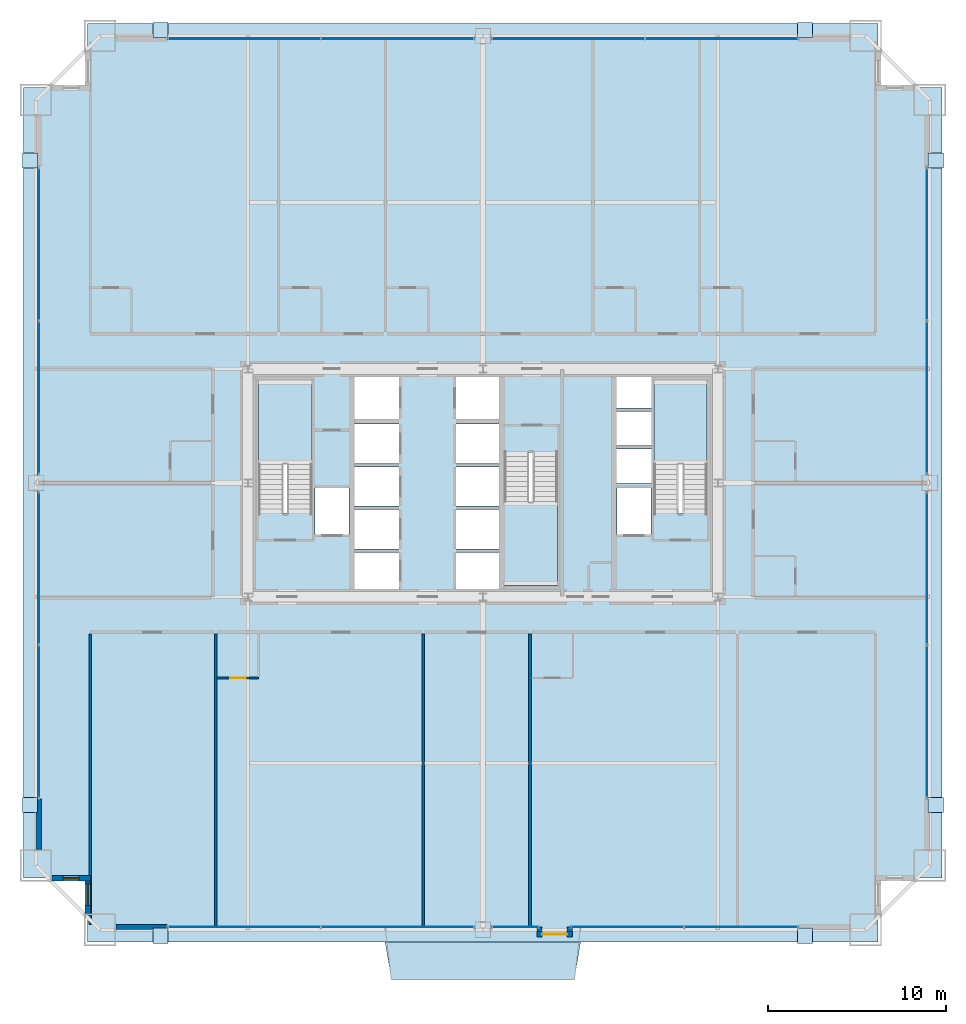
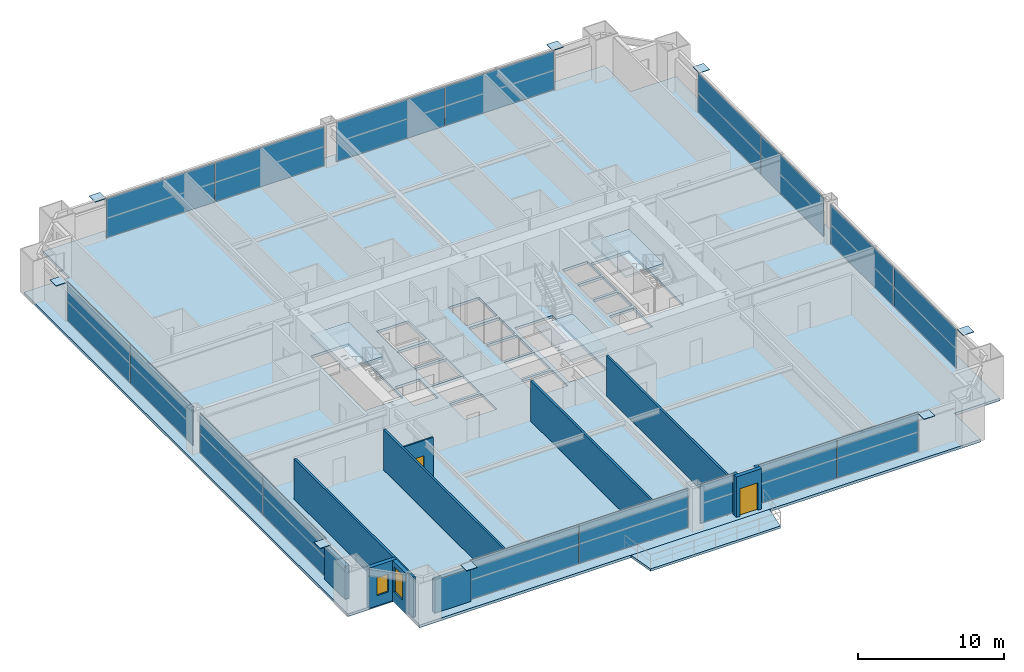
# One storey, part 38 of 43: 25 plates, 12 walls, 5 slabs, 2 doors, 2 windows, 4 openings, 12 elements without a shape of their own.
"""IFC4 building model written with IfcOpenShell, lengths in metres."""

from ifc_helpers import new_model, si_unit, direction, frame, frame_2d, origin, origin_2d, place, context, subcontext, project, spatial, polyline, rectangle, outline, extrude, source, transform, mapped, material, layer, layer_set, type_object, element, fill, aggregate, save


model = new_model("IFC4")

# Units and contexts
model_context = context("Model", 3, precision=1e-05, world=origin(), true_north=direction((0.0, 1.0)))
body_context = subcontext(model_context, "Body", "Model", "MODEL_VIEW")
ifc_project = project(units=[si_unit("LENGTHUNIT", "METRE"), si_unit("AREAUNIT", "SQUARE_METRE"), si_unit("VOLUMEUNIT", "CUBIC_METRE"), si_unit("PLANEANGLEUNIT", "RADIAN"), si_unit("MASSUNIT", "GRAM", prefix="KILO"), si_unit("THERMODYNAMICTEMPERATUREUNIT", "KELVIN"), si_unit("POWERUNIT", "WATT")], contexts=[model_context])

# Site, building, storey
site_placement = place(None, origin())
site = spatial("IfcSite", under=ifc_project, at=site_placement, CompositionType="ELEMENT")
building_placement = place(site_placement, origin())
building = spatial("IfcBuilding", under=site, at=building_placement, Name="Yuzanri Waterfront Tower", CompositionType="ELEMENT")
storey_placement = place(building_placement, frame((0.0, 0.0, 78.39990234375)))
storey = spatial("IfcBuildingStorey", under=building, at=storey_placement, Name="L20", CompositionType="ELEMENT", Elevation=78.39990234375)

# Slab
ifc_material_1 = material(Name="Concrete C40", Category="concrete")
ifc_layer_1 = layer(ifc_material_1, 0.199951171875)
ifc_layer_set_1 = layer_set([ifc_layer_1], Name="Concrete C40")
slab_type_1 = type_object("IfcSlabType", Name="Concrete C40 Cantilevered Engawa Wave Terrace Slab 200", PredefinedType="FLOOR", material=ifc_layer_set_1)
slab_1_placement = place(storey_placement, frame((0.0, 0.0, -0.199951171875)))
element("IfcSlab", 1, at=slab_1_placement, inside=storey, type_object=slab_type_1, Name="L20 S Cantilevered Engawa Terrace Slab", PredefinedType="FLOOR", context=body_context, shape_type="SweptSolid", body=[
    extrude(outline(polyline([(31.512939453125, 0.0), (42.487060546875, 0.0), (42.136962890625, -2.097900390625), (31.863037109375, -2.097900390625), (31.512939453125, 0.0)])), origin(), (0.0, 0.0, 1.0), 0.199951171875),
])

# Stair, slab
ifc_material_2 = material(Name="Concrete C40", Category="concrete")
stair_type = type_object("IfcStairType", Name="Concrete C40 Core Dogleg Exit Stair", PredefinedType="HALF_TURN_STAIR", material=ifc_material_2)
stair_1_placement = place(storey_placement, origin())
stair_1 = element("IfcStair", 2, at=stair_1_placement, inside=storey, type_object=stair_type, Name="L20 Smoke-Proof Core Stair ST-01", PredefinedType="HALF_TURN_STAIR")
ifc_material_3 = material(Name="Concrete C40", Category="concrete")
ifc_layer_2 = layer(ifc_material_3, 0.179931640625)
ifc_layer_set_2 = layer_set([ifc_layer_2], Name="Concrete C40")
slab_type_2 = type_object("IfcSlabType", Name="Concrete C40 Stair Half-Landing Slab 180", PredefinedType="LANDING", material=ifc_layer_set_2)
slab_2_placement = place(storey_placement, frame((0.0, 0.0, 1.60009765625)))
slab_2 = element("IfcSlab", 3, at=slab_2_placement, type_object=slab_type_2, Name="ST-01 landing 1", PredefinedType="LANDING", context=body_context, shape_type="SweptSolid", body=[
    extrude(outline(polyline([(27.39990234375, 26.840087890625), (27.39990234375, 31.580078125), (24.39990234375, 31.580078125), (24.39990234375, 26.840087890625), (27.39990234375, 26.840087890625)])), origin(), (0.0, 0.0, 1.0), 0.199951171875),
])
aggregate(stair_1, [slab_2])

stair_2_placement = place(storey_placement, origin())
stair_2 = element("IfcStair", 4, at=stair_2_placement, inside=storey, type_object=stair_type, Name="L20 Smoke-Proof Core Stair ST-02", PredefinedType="HALF_TURN_STAIR")
slab_3_placement = place(storey_placement, frame((0.0, 0.0, 1.60009765625)))
slab_3 = element("IfcSlab", 5, at=slab_3_placement, type_object=slab_type_2, Name="ST-02 landing 1", PredefinedType="LANDING", context=body_context, shape_type="SweptSolid", body=[
    extrude(outline(polyline([(49.60009765625, 26.840087890625), (49.60009765625, 31.580078125), (46.60009765625, 31.580078125), (46.60009765625, 26.840087890625), (49.60009765625, 26.840087890625)])), origin(), (0.0, 0.0, 1.0), 0.199951171875),
])
aggregate(stair_2, [slab_3])

stair_3_placement = place(storey_placement, origin())
stair_3 = element("IfcStair", 6, at=stair_3_placement, inside=storey, type_object=stair_type, Name="L20 Smoke-Proof Core Stair ST-03", PredefinedType="HALF_TURN_STAIR")
slab_4_placement = place(storey_placement, frame((0.0, 0.0, 1.60009765625)))
slab_4 = element("IfcSlab", 7, at=slab_4_placement, type_object=slab_type_2, Name="ST-03 landing 1", PredefinedType="LANDING", context=body_context, shape_type="SweptSolid", body=[
    extrude(outline(polyline([(38.199951171875, 24.760009765625), (38.199951171875, 20.02001953125), (41.199951171875, 20.02001953125), (41.199951171875, 24.760009765625), (38.199951171875, 24.760009765625)])), origin(), (0.0, 0.0, 1.0), 0.199951171875),
])
aggregate(stair_3, [slab_4])

# Slab
ifc_material_4 = material(Name="Concrete C40", Category="concrete")
ifc_layer_3 = layer(ifc_material_4, 0.219970703125)
ifc_layer_set_3 = layer_set([ifc_layer_3], Name="Concrete C40")
slab_type_3 = type_object("IfcSlabType", Name="Concrete C40 Tower Typical Structural Floor Slab 220", PredefinedType="FLOOR", material=ifc_layer_set_3)
slab_5_placement = place(storey_placement, frame((0.0, 0.0, -0.219970703125)))
element("IfcSlab", 8, at=slab_5_placement, inside=storey, type_object=slab_type_3, Name="L20 Main Structural Floor Slab", PredefinedType="FLOOR", context=body_context, shape_type="SweptSolid", body=[
    extrude(outline(polyline([(14.800048828125, 0.0), (59.199951171875, 0.0), (59.199951171875, 3.60009765625), (62.800048828125, 3.60009765625), (62.800048828125, 48.0), (59.199951171875, 48.0), (59.199951171875, 51.60009765625), (14.800048828125, 51.60009765625), (14.800048828125, 48.0), (11.199951171875, 48.0), (11.199951171875, 3.60009765625), (14.800048828125, 3.60009765625), (14.800048828125, 0.0)]), holes=[polyline([(27.39990234375, 24.10009765625), (27.39990234375, 31.580078125), (24.39990234375, 31.580078125), (24.39990234375, 24.10009765625), (27.39990234375, 24.10009765625)]), polyline([(49.60009765625, 24.10009765625), (49.60009765625, 31.580078125), (46.60009765625, 31.580078125), (46.60009765625, 24.10009765625), (49.60009765625, 24.10009765625)]), polyline([(38.199951171875, 27.5), (38.199951171875, 20.02001953125), (41.199951171875, 20.02001953125), (41.199951171875, 27.5), (38.199951171875, 27.5)]), polyline([(27.56005859375, 22.89990234375), (29.47998046875, 22.89990234375), (29.47998046875, 25.5), (27.56005859375, 25.5), (27.56005859375, 22.89990234375)]), polyline([(44.52001953125, 22.89990234375), (46.43994140625, 22.89990234375), (46.43994140625, 25.5), (44.52001953125, 25.5), (44.52001953125, 22.89990234375)]), polyline([(29.800048828125, 19.699951171875), (32.300048828125, 19.699951171875), (32.300048828125, 21.89990234375), (29.800048828125, 21.89990234375), (29.800048828125, 19.699951171875)]), polyline([(29.800048828125, 22.10009765625), (32.300048828125, 22.10009765625), (32.300048828125, 24.300048828125), (29.800048828125, 24.300048828125), (29.800048828125, 22.10009765625)]), polyline([(29.800048828125, 24.5), (32.300048828125, 24.5), (32.300048828125, 26.699951171875), (29.800048828125, 26.699951171875), (29.800048828125, 24.5)]), polyline([(29.800048828125, 26.89990234375), (32.300048828125, 26.89990234375), (32.300048828125, 29.10009765625), (29.800048828125, 29.10009765625), (29.800048828125, 26.89990234375)]), polyline([(29.800048828125, 29.39990234375), (32.300048828125, 29.39990234375), (32.300048828125, 31.89990234375), (29.800048828125, 31.89990234375), (29.800048828125, 29.39990234375)]), polyline([(35.5, 19.699951171875), (37.89990234375, 19.699951171875), (37.89990234375, 21.89990234375), (35.5, 21.89990234375), (35.5, 19.699951171875)]), polyline([(35.5, 22.10009765625), (37.89990234375, 22.10009765625), (37.89990234375, 24.300048828125), (35.5, 24.300048828125), (35.5, 22.10009765625)]), polyline([(35.5, 24.5), (37.89990234375, 24.5), (37.89990234375, 26.699951171875), (35.5, 26.699951171875), (35.5, 24.5)]), polyline([(35.5, 26.89990234375), (37.89990234375, 26.89990234375), (37.89990234375, 29.10009765625), (35.5, 29.10009765625), (35.5, 26.89990234375)]), polyline([(35.5, 29.39990234375), (37.89990234375, 29.39990234375), (37.89990234375, 31.89990234375), (35.5, 31.89990234375), (35.5, 29.39990234375)]), polyline([(44.5, 25.800048828125), (46.5, 25.800048828125), (46.5, 27.699951171875), (44.5, 27.699951171875), (44.5, 25.800048828125)]), polyline([(44.5, 27.89990234375), (46.5, 27.89990234375), (46.5, 29.800048828125), (44.5, 29.800048828125), (44.5, 27.89990234375)]), polyline([(44.5, 30.0), (46.5, 30.0), (46.5, 31.89990234375), (44.5, 31.89990234375), (44.5, 30.0)])]), origin(), (0.0, 0.0, 1.0), 0.219970703125),
])

# Plates
ifc_material_5 = material(Name="Steel Q420GJC", Category="steel")
ifc_layer_4 = layer(ifc_material_5, 0.0400390625)
ifc_layer_set_4 = layer_set([ifc_layer_4], Name="Steel Q420GJC")
plate_type_1 = type_object("IfcPlateType", Name="Steel Q420GJC Mega-Brace Gusset and End-Cap Plate 40", PredefinedType="SHEET", material=ifc_layer_set_4)
shared_shape_1 = source(origin(), body_context, "Body", "SweptSolid", [
    extrude(rectangle(XDim=0.85009765625, YDim=0.85009765625, at=origin_2d()), origin(), (0.0, 0.0, 1.0), 0.0400390625),
])
for number, where, z_axis, x_axis, name in (
    (9, (18.89990234375, 0.360107421875, 3.260009765625), (0.0, 0.0, 1.0), (1.0, 0.0, 0.0), "L20 Mega-Brace Apex Cap Plate S-L"),
    (10, (55.10009765625, 0.360107421875, 3.260009765625), (0.0, 0.0, 1.0), (1.0, 0.0, 0.0), "L20 Mega-Brace Apex Cap Plate S-R"),
    (11, (18.89990234375, 51.239990234375, 3.260009765625), (0.0, 0.0, 1.0), (1.0, 0.0, 0.0), "L20 Mega-Brace Apex Cap Plate N-L"),
    (12, (55.10009765625, 51.239990234375, 3.260009765625), (0.0, 0.0, 1.0), (1.0, 0.0, 0.0), "L20 Mega-Brace Apex Cap Plate N-R"),
    (13, (11.56005859375, 7.699951171875, 3.260009765625), (0.0, 0.0, 1.0), (1.0, 0.0, 0.0), "L20 Mega-Brace Apex Cap Plate W-L"),
    (14, (11.56005859375, 43.89990234375, 3.260009765625), (0.0, 0.0, 1.0), (1.0, 0.0, 0.0), "L20 Mega-Brace Apex Cap Plate W-R"),
    (15, (62.43994140625, 7.699951171875, 3.260009765625), (0.0, 0.0, 1.0), (1.0, 0.0, 0.0), "L20 Mega-Brace Apex Cap Plate E-L"),
    (16, (62.43994140625, 43.89990234375, 3.260009765625), (0.0, 0.0, 1.0), (1.0, 0.0, 0.0), "L20 Mega-Brace Apex Cap Plate E-R"),
):
    element("IfcPlate", number, at=place(storey_placement, frame(where, z_axis=z_axis, x_axis=x_axis)), inside=storey, type_object=plate_type_1, Name=name, PredefinedType="SHEET", context=body_context, shape_type="MappedRepresentation", body=[
        mapped(shared_shape_1, transform((0.0, 0.0, 0.0), scale=1.0)),
    ])

# Curtain wall, plates
ifc_material_6 = material(Name="Anodized Architectural Bronze", Category="metal")
ifc_layer_5 = layer(ifc_material_6, 0.159912109375)
ifc_layer_set_5 = layer_set([ifc_layer_5], Name="Anodized Architectural Bronze")
curtain_wall_type = type_object("IfcCurtainWallType", Name="Anodized Bronze Hotel Lower-Tier Recessed Unitized Curtain Wall 8100", PredefinedType="NOTDEFINED", material=ifc_layer_set_5)
curtain_wall_1_placement = place(storey_placement, origin())
curtain_wall_1 = element("IfcCurtainWall", 17, at=curtain_wall_1_placement, inside=storey, type_object=curtain_wall_type, Name="L20 Curtain Wall CW-L20-SL", PredefinedType="NOTDEFINED")
ifc_material_7 = material(Name="Double-Silver Low-E Insulated Glass", Category="glass")
ifc_layer_6 = layer(ifc_material_7, 0.035888671875)
ifc_layer_set_6 = layer_set([ifc_layer_6], Name="Double-Silver Low-E Insulated Glass")
plate_type_2 = type_object("IfcPlateType", Name="Double Silver Low-E Insulated Vision Glass Panel 36", PredefinedType="CURTAIN_PANEL", material=ifc_layer_set_6)
shared_shape_2 = source(origin(), body_context, "Body", "SweptSolid", [
    extrude(rectangle(XDim=8.570068359375, YDim=0.035888671875, at=origin_2d()), origin(), (0.0, 0.0, 1.0), 3.280029296875),
])
plate_1_placement = place(storey_placement, frame((23.574951171875, 0.85009765625, 0.05029296875), z_axis=(0.0, 0.0, 1.0), x_axis=(1.0, 0.0, 0.0)))
plate_1 = element("IfcPlate", 18, at=plate_1_placement, type_object=plate_type_2, Name="CW-L20-SL Vision Glass Panel 01", PredefinedType="CURTAIN_PANEL", context=body_context, shape_type="MappedRepresentation", body=[
    mapped(shared_shape_2, transform((0.0, 0.0, 0.0), scale=1.0)),
])
plate_2_placement = place(storey_placement, frame((32.22509765625, 0.85009765625, 0.05029296875), z_axis=(0.0, 0.0, 1.0), x_axis=(1.0, 0.0, 0.0)))
plate_2 = element("IfcPlate", 19, at=plate_2_placement, type_object=plate_type_2, Name="CW-L20-SL Vision Glass Panel 02", PredefinedType="CURTAIN_PANEL", context=body_context, shape_type="MappedRepresentation", body=[
    mapped(shared_shape_2, transform((0.0, 0.0, 0.0), scale=1.0)),
])
aggregate(curtain_wall_1, [plate_1, plate_2])

curtain_wall_2_placement = place(storey_placement, origin())
curtain_wall_2 = element("IfcCurtainWall", 20, at=curtain_wall_2_placement, inside=storey, type_object=curtain_wall_type, Name="L20 Curtain Wall CW-L20-NL", PredefinedType="NOTDEFINED")
plate_3_placement = place(storey_placement, frame((23.574951171875, 50.75, 0.05029296875), z_axis=(0.0, 0.0, 1.0), x_axis=(1.0, 0.0, 0.0)))
plate_3 = element("IfcPlate", 21, at=plate_3_placement, type_object=plate_type_2, Name="CW-L20-NL Vision Glass Panel 01", PredefinedType="CURTAIN_PANEL", context=body_context, shape_type="MappedRepresentation", body=[
    mapped(shared_shape_2, transform((0.0, 0.0, 0.0), scale=1.0)),
])
plate_4_placement = place(storey_placement, frame((32.22509765625, 50.75, 0.05029296875), z_axis=(0.0, 0.0, 1.0), x_axis=(1.0, 0.0, 0.0)))
plate_4 = element("IfcPlate", 22, at=plate_4_placement, type_object=plate_type_2, Name="CW-L20-NL Vision Glass Panel 02", PredefinedType="CURTAIN_PANEL", context=body_context, shape_type="MappedRepresentation", body=[
    mapped(shared_shape_2, transform((0.0, 0.0, 0.0), scale=1.0)),
])
aggregate(curtain_wall_2, [plate_3, plate_4])

curtain_wall_3_placement = place(storey_placement, origin())
curtain_wall_3 = element("IfcCurtainWall", 23, at=curtain_wall_3_placement, inside=storey, type_object=curtain_wall_type, Name="L20 Curtain Wall CW-L20-NR", PredefinedType="NOTDEFINED")
plate_5_placement = place(storey_placement, frame((41.77490234375, 50.75, 0.05029296875), z_axis=(0.0, 0.0, 1.0), x_axis=(1.0, 0.0, 0.0)))
plate_5 = element("IfcPlate", 24, at=plate_5_placement, type_object=plate_type_2, Name="CW-L20-NR Vision Glass Panel 01", PredefinedType="CURTAIN_PANEL", context=body_context, shape_type="MappedRepresentation", body=[
    mapped(shared_shape_2, transform((0.0, 0.0, 0.0), scale=1.0)),
])
plate_6_placement = place(storey_placement, frame((50.425048828125, 50.75, 0.05029296875), z_axis=(0.0, 0.0, 1.0), x_axis=(1.0, 0.0, 0.0)))
plate_6 = element("IfcPlate", 25, at=plate_6_placement, type_object=plate_type_2, Name="CW-L20-NR Vision Glass Panel 02", PredefinedType="CURTAIN_PANEL", context=body_context, shape_type="MappedRepresentation", body=[
    mapped(shared_shape_2, transform((0.0, 0.0, 0.0), scale=1.0)),
])
aggregate(curtain_wall_3, [plate_5, plate_6])

curtain_wall_4_placement = place(storey_placement, origin())
curtain_wall_4 = element("IfcCurtainWall", 26, at=curtain_wall_4_placement, inside=storey, type_object=curtain_wall_type, Name="L20 Curtain Wall CW-L20-WL", PredefinedType="NOTDEFINED")
plate_7_placement = place(storey_placement, frame((12.050048828125, 12.375, 0.05029296875), z_axis=(0.0, 0.0, 1.0), x_axis=(0.0, 1.0, 0.0)))
plate_7 = element("IfcPlate", 27, at=plate_7_placement, type_object=plate_type_2, Name="CW-L20-WL Vision Glass Panel 01", PredefinedType="CURTAIN_PANEL", context=body_context, shape_type="MappedRepresentation", body=[
    mapped(shared_shape_2, transform((0.0, 0.0, 0.0), scale=1.0)),
])
plate_8_placement = place(storey_placement, frame((12.050048828125, 21.02490234375, 0.05029296875), z_axis=(0.0, 0.0, 1.0), x_axis=(0.0, 1.0, 0.0)))
plate_8 = element("IfcPlate", 28, at=plate_8_placement, type_object=plate_type_2, Name="CW-L20-WL Vision Glass Panel 02", PredefinedType="CURTAIN_PANEL", context=body_context, shape_type="MappedRepresentation", body=[
    mapped(shared_shape_2, transform((0.0, 0.0, 0.0), scale=1.0)),
])
aggregate(curtain_wall_4, [plate_7, plate_8])

curtain_wall_5_placement = place(storey_placement, origin())
curtain_wall_5 = element("IfcCurtainWall", 29, at=curtain_wall_5_placement, inside=storey, type_object=curtain_wall_type, Name="L20 Curtain Wall CW-L20-WR", PredefinedType="NOTDEFINED")
plate_9_placement = place(storey_placement, frame((12.050048828125, 30.574951171875, 0.05029296875), z_axis=(0.0, 0.0, 1.0), x_axis=(0.0, 1.0, 0.0)))
plate_9 = element("IfcPlate", 30, at=plate_9_placement, type_object=plate_type_2, Name="CW-L20-WR Vision Glass Panel 01", PredefinedType="CURTAIN_PANEL", context=body_context, shape_type="MappedRepresentation", body=[
    mapped(shared_shape_2, transform((0.0, 0.0, 0.0), scale=1.0)),
])
plate_10_placement = place(storey_placement, frame((12.050048828125, 39.22509765625, 0.05029296875), z_axis=(0.0, 0.0, 1.0), x_axis=(0.0, 1.0, 0.0)))
plate_10 = element("IfcPlate", 31, at=plate_10_placement, type_object=plate_type_2, Name="CW-L20-WR Vision Glass Panel 02", PredefinedType="CURTAIN_PANEL", context=body_context, shape_type="MappedRepresentation", body=[
    mapped(shared_shape_2, transform((0.0, 0.0, 0.0), scale=1.0)),
])
aggregate(curtain_wall_5, [plate_9, plate_10])

curtain_wall_6_placement = place(storey_placement, origin())
curtain_wall_6 = element("IfcCurtainWall", 32, at=curtain_wall_6_placement, inside=storey, type_object=curtain_wall_type, Name="L20 Curtain Wall CW-L20-EL", PredefinedType="NOTDEFINED")
plate_11_placement = place(storey_placement, frame((61.949951171875, 12.375, 0.05029296875), z_axis=(0.0, 0.0, 1.0), x_axis=(0.0, 1.0, 0.0)))
plate_11 = element("IfcPlate", 33, at=plate_11_placement, type_object=plate_type_2, Name="CW-L20-EL Vision Glass Panel 01", PredefinedType="CURTAIN_PANEL", context=body_context, shape_type="MappedRepresentation", body=[
    mapped(shared_shape_2, transform((0.0, 0.0, 0.0), scale=1.0)),
])
plate_12_placement = place(storey_placement, frame((61.949951171875, 21.02490234375, 0.05029296875), z_axis=(0.0, 0.0, 1.0), x_axis=(0.0, 1.0, 0.0)))
plate_12 = element("IfcPlate", 34, at=plate_12_placement, type_object=plate_type_2, Name="CW-L20-EL Vision Glass Panel 02", PredefinedType="CURTAIN_PANEL", context=body_context, shape_type="MappedRepresentation", body=[
    mapped(shared_shape_2, transform((0.0, 0.0, 0.0), scale=1.0)),
])
aggregate(curtain_wall_6, [plate_11, plate_12])

curtain_wall_7_placement = place(storey_placement, origin())
curtain_wall_7 = element("IfcCurtainWall", 35, at=curtain_wall_7_placement, inside=storey, type_object=curtain_wall_type, Name="L20 Curtain Wall CW-L20-ER", PredefinedType="NOTDEFINED")
plate_13_placement = place(storey_placement, frame((61.949951171875, 30.574951171875, 0.05029296875), z_axis=(0.0, 0.0, 1.0), x_axis=(0.0, 1.0, 0.0)))
plate_13 = element("IfcPlate", 36, at=plate_13_placement, type_object=plate_type_2, Name="CW-L20-ER Vision Glass Panel 01", PredefinedType="CURTAIN_PANEL", context=body_context, shape_type="MappedRepresentation", body=[
    mapped(shared_shape_2, transform((0.0, 0.0, 0.0), scale=1.0)),
])
plate_14_placement = place(storey_placement, frame((61.949951171875, 39.22509765625, 0.05029296875), z_axis=(0.0, 0.0, 1.0), x_axis=(0.0, 1.0, 0.0)))
plate_14 = element("IfcPlate", 37, at=plate_14_placement, type_object=plate_type_2, Name="CW-L20-ER Vision Glass Panel 02", PredefinedType="CURTAIN_PANEL", context=body_context, shape_type="MappedRepresentation", body=[
    mapped(shared_shape_2, transform((0.0, 0.0, 0.0), scale=1.0)),
])
aggregate(curtain_wall_7, [plate_13, plate_14])

# Curtain wall, plate
curtain_wall_8_placement = place(storey_placement, origin())
curtain_wall_8 = element("IfcCurtainWall", 38, at=curtain_wall_8_placement, inside=storey, type_object=curtain_wall_type, Name="L20 Curtain Wall CW-L20-SR1", PredefinedType="NOTDEFINED")
shared_shape_3 = source(origin(), body_context, "Body", "SweptSolid", [
    extrude(rectangle(XDim=2.652099609375, YDim=0.035888671875, at=origin_2d()), origin(), (0.0, 0.0, 1.0), 3.280029296875),
])
plate_15_placement = place(storey_placement, frame((38.81591796875, 0.85009765625, 0.05029296875), z_axis=(0.0, 0.0, 1.0), x_axis=(1.0, 0.0, 0.0)))
plate_15 = element("IfcPlate", 39, at=plate_15_placement, type_object=plate_type_2, Name="CW-L20-SR1 Vision Glass Panel 01", PredefinedType="CURTAIN_PANEL", context=body_context, shape_type="MappedRepresentation", body=[
    mapped(shared_shape_3, transform((0.0, 0.0, 0.0), scale=1.0)),
])
aggregate(curtain_wall_8, [plate_15])

# Curtain wall, plates
curtain_wall_9_placement = place(storey_placement, origin())
curtain_wall_9 = element("IfcCurtainWall", 40, at=curtain_wall_9_placement, inside=storey, type_object=curtain_wall_type, Name="L20 Curtain Wall CW-L20-SR2", PredefinedType="NOTDEFINED")
shared_shape_4 = source(origin(), body_context, "Body", "SweptSolid", [
    extrude(rectangle(XDim=6.35400390625, YDim=0.035888671875, at=origin_2d()), origin(), (0.0, 0.0, 1.0), 3.280029296875),
])
plate_16_placement = place(storey_placement, frame((45.09912109375, 0.85009765625, 0.05029296875), z_axis=(0.0, 0.0, 1.0), x_axis=(1.0, 0.0, 0.0)))
plate_16 = element("IfcPlate", 41, at=plate_16_placement, type_object=plate_type_2, Name="CW-L20-SR2 Vision Glass Panel 01", PredefinedType="CURTAIN_PANEL", context=body_context, shape_type="MappedRepresentation", body=[
    mapped(shared_shape_4, transform((0.0, 0.0, 0.0), scale=1.0)),
])
plate_17_placement = place(storey_placement, frame((51.532958984375, 0.85009765625, 0.05029296875), z_axis=(0.0, 0.0, 1.0), x_axis=(1.0, 0.0, 0.0)))
plate_17 = element("IfcPlate", 42, at=plate_17_placement, type_object=plate_type_2, Name="CW-L20-SR2 Vision Glass Panel 02", PredefinedType="CURTAIN_PANEL", context=body_context, shape_type="MappedRepresentation", body=[
    mapped(shared_shape_4, transform((0.0, 0.0, 0.0), scale=1.0)),
])
aggregate(curtain_wall_9, [plate_16, plate_17])

# Wall, opening, door
ifc_material_8 = material(Name="Moisture-Resistant Gypsum Stud Wall", Category="gypsum")
ifc_layer_7 = layer(ifc_material_8, 0.1201171875)
ifc_layer_set_7 = layer_set([ifc_layer_7], Name="Moisture-Resistant Gypsum Stud Wall")
wall_type_1 = type_object("IfcWallType", Name="Bathroom and Kitchen Wet Partition 120", PredefinedType="PARTITIONING", material=ifc_layer_set_7)
wall_1_placement = place(storey_placement, frame((22.0791015625, 14.840087890625, 0.0), z_axis=(0.0, 0.0, 1.0), x_axis=(1.0, 0.0, 0.0)))
wall_1 = element("IfcWall", 43, at=wall_1_placement, inside=storey, type_object=wall_type_1, Name="L20 Partition UW-L20-S2-BS", PredefinedType="PARTITIONING", context=body_context, shape_type="SweptSolid", body=[
    extrude(rectangle(XDim=2.329833984375, YDim=0.1201171875, at=frame_2d((1.1650390625, 0.0))), origin(), (0.0, 0.0, 1.0), 3.380126953125),
])
opening_1_placement = place(wall_1_placement, frame((0.739990234375, 0.0, 0.0)))
opening_1 = element("IfcOpeningElement", 44, at=opening_1_placement, cuts=wall_1, Name="Opening ID-0850", PredefinedType="OPENING", context=body_context, shape_type="SweptSolid", body=[
    extrude(rectangle(XDim=0.85009765625, YDim=2.10009765625, at=frame_2d((0.425048828125, 1.050048828125))), frame((0.0, 0.074951171875, 0.0), z_axis=(0.0, -1.0, 0.0), x_axis=(1.0, 0.0, 0.0)), (0.0, 0.0, 1.0), 0.14990234375),
])
ifc_material_9 = material(Name="Moisture-Resistant Lacquered Timber", Category="wood")
door_type_1 = type_object("IfcDoorType", Name="En-Suite Bathroom and Kitchen Swing Door 850x2100", OperationType="NOTDEFINED", PredefinedType="DOOR", material=ifc_material_9)
shared_shape_5 = source(origin(), body_context, "Body", "SweptSolid", [
    extrude(rectangle(XDim=0.85009765625, YDim=2.10009765625, at=frame_2d((0.425048828125, 1.050048828125))), frame((0.0, 0.02490234375, 0.0), z_axis=(0.0, -1.0, 0.0), x_axis=(1.0, 0.0, 0.0)), (0.0, 0.0, 1.0), 0.050048828125),
])
door_1_placement = place(opening_1_placement, origin())
door_1 = element("IfcDoor", 45, at=door_1_placement, inside=storey, type_object=door_type_1, Name="L20 Guest En-Suite Door", OperationType="SINGLE_SWING_RIGHT", OverallHeight=2.10009765625, OverallWidth=0.85009765625, PredefinedType="DOOR", context=body_context, shape_type="MappedRepresentation", body=[
    mapped(shared_shape_5, transform((0.0, 0.0, 0.0), scale=1.0)),
])
fill(opening_1, door_1)

# Wall, opening, window
ifc_material_10 = material(Name="Honed Chongqing Dark Basalt Stone", Category="masonry")
ifc_layer_8 = layer(ifc_material_10, 0.300048828125)
ifc_layer_set_8 = layer_set([ifc_layer_8], Name="Honed Chongqing Dark Basalt Stone")
wall_type_2 = type_object("IfcWallType", Name="Bronze Rainscreen Insulated Spandrel Portal Wall 300", PredefinedType="SOLIDWALL", material=ifc_layer_set_8)
wall_2_placement = place(storey_placement, frame((12.800048828125, 3.60009765625, 0.0), z_axis=(0.0, 0.0, 1.0), x_axis=(1.0, 0.0, 0.0)))
wall_2 = element("IfcWall", 46, at=wall_2_placement, inside=storey, type_object=wall_type_2, Name="L20 Notched Corner Masonry Wall SW-X", PredefinedType="SOLIDWALL", context=body_context, shape_type="SweptSolid", body=[
    extrude(rectangle(XDim=2.14990234375, YDim=0.300048828125, at=frame_2d((1.074951171875, 0.0))), origin(), (0.0, 0.0, 1.0), 3.380126953125),
])
opening_2_placement = place(wall_2_placement, frame((0.625, 0.0, 0.85009765625)))
opening_2 = element("IfcOpeningElement", 47, at=opening_2_placement, cuts=wall_2, Name="Opening WN-05", PredefinedType="OPENING", context=body_context, shape_type="SweptSolid", body=[
    extrude(rectangle(XDim=0.89990234375, YDim=1.5, at=frame_2d((0.449951171875, 0.75))), frame((0.0, 0.1650390625, 0.0), z_axis=(0.0, -1.0, 0.0), x_axis=(1.0, 0.0, 0.0)), (0.0, 0.0, 1.0), 0.329833984375),
])
ifc_material_11 = material(Name="Double-Silver Low-E Insulated Glass", Category="glass")
window_type_1 = type_object("IfcWindowType", Name="Anodized Bronze Service and Stairwell Smoke-Vent Window 900x1500", PartitioningType="SINGLE_PANEL", PredefinedType="WINDOW", material=ifc_material_11)
shared_shape_6 = source(origin(), body_context, "Body", "SweptSolid", [
    extrude(rectangle(XDim=0.89990234375, YDim=1.5, at=frame_2d((0.449951171875, 0.75))), frame((0.0, 0.030029296875, 0.0), z_axis=(0.0, -1.0, 0.0), x_axis=(1.0, 0.0, 0.0)), (0.0, 0.0, 1.0), 0.06005859375),
])
window_1_placement = place(opening_2_placement, origin())
window_1 = element("IfcWindow", 48, at=window_1_placement, inside=storey, type_object=window_type_1, Name="L20 Notched Corner Window SW-X", OverallHeight=1.5, OverallWidth=0.89990234375, PartitioningType="SINGLE_PANEL", PredefinedType="WINDOW", context=body_context, shape_type="MappedRepresentation", body=[
    mapped(shared_shape_6, transform((0.0, 0.0, 0.0), scale=1.0)),
])
fill(opening_2, window_1)

wall_3_placement = place(storey_placement, frame((14.800048828125, 3.75, 0.0), z_axis=(0.0, 0.0, 1.0), x_axis=(0.0, -1.0, 0.0)))
wall_3 = element("IfcWall", 49, at=wall_3_placement, inside=storey, type_object=wall_type_2, Name="L20 Notched Corner Masonry Wall SW-Y", PredefinedType="SOLIDWALL", context=body_context, shape_type="SweptSolid", body=[
    extrude(rectangle(XDim=2.14990234375, YDim=0.300048828125, at=frame_2d((1.074951171875, 0.0))), origin(), (0.0, 0.0, 1.0), 3.380126953125),
])
opening_3_placement = place(wall_3_placement, frame((0.47509765625, 0.0, 0.85009765625)))
opening_3 = element("IfcOpeningElement", 50, at=opening_3_placement, cuts=wall_3, Name="Opening WN-02", PredefinedType="OPENING", context=body_context, shape_type="SweptSolid", body=[
    extrude(rectangle(XDim=1.199951171875, YDim=2.10009765625, at=frame_2d((0.60009765625, 1.050048828125))), frame((0.0, 0.1650390625, 0.0), z_axis=(0.0, -1.0, 0.0), x_axis=(1.0, 0.0, 0.0)), (0.0, 0.0, 1.0), 0.329833984375),
])
ifc_material_12 = material(Name="Double-Silver Low-E Insulated Glass", Category="glass")
window_type_2 = type_object("IfcWindowType", Name="Anodized Bronze Notched Corner Deep-Set Slot Window 1200x2100", PartitioningType="SINGLE_PANEL", PredefinedType="WINDOW", material=ifc_material_12)
shared_shape_7 = source(origin(), body_context, "Body", "SweptSolid", [
    extrude(rectangle(XDim=1.199951171875, YDim=2.10009765625, at=frame_2d((0.60009765625, 1.050048828125))), frame((0.0, 0.030029296875, 0.0), z_axis=(0.0, -1.0, 0.0), x_axis=(1.0, 0.0, 0.0)), (0.0, 0.0, 1.0), 0.06005859375),
])
window_2_placement = place(opening_3_placement, origin())
window_2 = element("IfcWindow", 51, at=window_2_placement, inside=storey, type_object=window_type_2, Name="L20 Notched Corner Window SW-Y", OverallHeight=2.10009765625, OverallWidth=1.199951171875, PartitioningType="SINGLE_PANEL", PredefinedType="WINDOW", context=body_context, shape_type="MappedRepresentation", body=[
    mapped(shared_shape_7, transform((0.0, 0.0, 0.0), scale=1.0)),
])
fill(opening_3, window_2)

# Wall, opening, door
wall_4_placement = place(storey_placement, frame((40.031982421875, 0.449951171875, 0.0), z_axis=(0.0, 0.0, 1.0), x_axis=(1.0, 0.0, 0.0)))
wall_4 = element("IfcWall", 52, at=wall_4_placement, inside=storey, type_object=wall_type_2, Name="L20 S Terrace Door Portal Wall", PredefinedType="SOLIDWALL", context=body_context, shape_type="SweptSolid", body=[
    extrude(rectangle(XDim=2.0, YDim=0.300048828125, at=frame_2d((1.0, 0.0))), origin(), (0.0, 0.0, 1.0), 3.380126953125),
])
opening_4_placement = place(wall_4_placement, frame((0.300048828125, 0.0, 0.0)))
opening_4 = element("IfcOpeningElement", 53, at=opening_4_placement, cuts=wall_4, Name="Opening TD-1400", PredefinedType="OPENING", context=body_context, shape_type="SweptSolid", body=[
    extrude(rectangle(XDim=1.39990234375, YDim=2.300048828125, at=frame_2d((0.699951171875, 1.14990234375))), frame((0.0, 0.1650390625, 0.0), z_axis=(0.0, -1.0, 0.0), x_axis=(1.0, 0.0, 0.0)), (0.0, 0.0, 1.0), 0.329833984375),
])
ifc_material_13 = material(Name="Anodized Architectural Bronze", Category="metal")
door_type_2 = type_object("IfcDoorType", Name="Anodized Bronze Balcony and Terrace Glazed Double Door 1400x2300", OperationType="NOTDEFINED", PredefinedType="DOOR", material=ifc_material_13)
shared_shape_8 = source(origin(), body_context, "Body", "SweptSolid", [
    extrude(rectangle(XDim=1.39990234375, YDim=2.300048828125, at=frame_2d((0.699951171875, 1.14990234375))), frame((0.0, 0.02490234375, 0.0), z_axis=(0.0, -1.0, 0.0), x_axis=(1.0, 0.0, 0.0)), (0.0, 0.0, 1.0), 0.050048828125),
])
door_2_placement = place(opening_4_placement, origin())
door_2 = element("IfcDoor", 54, at=door_2_placement, inside=storey, type_object=door_type_2, Name="L20 S Terrace Glazed Double Door", OperationType="DOUBLE_DOOR_SINGLE_SWING", OverallHeight=2.300048828125, OverallWidth=1.39990234375, PredefinedType="DOOR", context=body_context, shape_type="MappedRepresentation", body=[
    mapped(shared_shape_8, transform((0.0, 0.0, 0.0), scale=1.0)),
])
fill(opening_4, door_2)

# Walls
shared_shape_9 = source(origin(), body_context, "Body", "SweptSolid", [
    extrude(rectangle(XDim=2.85009765625, YDim=0.300048828125, at=frame_2d((1.425048828125, 0.0))), origin(), (0.0, 0.0, 1.0), 2.775146484375),
])
for number, where, z_axis, x_axis, name in (
    (55, (16.39990234375, 0.85009765625, 0.0), (0.0, 0.0, 1.0), (1.0, 0.0, 0.0), "L20 S Left Braced Masonry Shoulder"),
    (56, (12.050048828125, 5.199951171875, 0.0), (0.0, 0.0, 1.0), (0.0, 1.0, 0.0), "L20 W Left Braced Masonry Shoulder"),
):
    element("IfcWall", number, at=place(storey_placement, frame(where, z_axis=z_axis, x_axis=x_axis)), inside=storey, type_object=wall_type_2, Name=name, PredefinedType="SOLIDWALL", context=body_context, shape_type="MappedRepresentation", body=[
        mapped(shared_shape_9, transform((0.0, 0.0, 0.0), scale=1.0)),
    ])
shared_shape_10 = source(origin(), body_context, "Body", "SweptSolid", [
    extrude(rectangle(XDim=0.25, YDim=0.300048828125, at=frame_2d((0.125, 0.0))), origin(), (0.0, 0.0, 1.0), 3.380126953125),
])
for number, where, z_axis, x_axis, name in (
    (57, (40.181884765625, 0.85009765625, 0.0), (0.0, 0.0, 1.0), (0.0, -1.0, 0.0), "L20 S Terrace Portal Left Return"),
    (58, (41.882080078125, 0.60009765625, 0.0), (0.0, 0.0, 1.0), (0.0, 1.0, 0.0), "L20 S Terrace Portal Right Return"),
):
    element("IfcWall", number, at=place(storey_placement, frame(where, z_axis=z_axis, x_axis=x_axis)), inside=storey, type_object=wall_type_2, Name=name, PredefinedType="SOLIDWALL", context=body_context, shape_type="MappedRepresentation", body=[
        mapped(shared_shape_10, transform((0.0, 0.0, 0.0), scale=1.0)),
    ])
ifc_material_14 = material(Name="Gypsum Fireboard Acoustic Stud Wall", Category="gypsum")
ifc_layer_9 = layer(ifc_material_14, 0.159912109375)
ifc_layer_set_9 = layer_set([ifc_layer_9], Name="Gypsum Fireboard Acoustic Stud Wall")
wall_type_3 = type_object("IfcWallType", Name="Acoustic Suite Demising Partition 160", PredefinedType="PARTITIONING", material=ifc_layer_set_9)
shared_shape_11 = source(origin(), body_context, "Body", "SweptSolid", [
    extrude(rectangle(XDim=16.469970703125, YDim=0.159912109375, at=frame_2d((8.23486328125, 0.0))), origin(), (0.0, 0.0, 1.0), 3.380126953125),
])
for number, where, z_axis, x_axis, name in (
    (59, (21.9990234375, 0.85009765625, 0.0), (0.0, 0.0, 1.0), (0.0, 1.0, 0.0), "L20-S1 Party Wall"),
    (60, (33.64697265625, 0.85009765625, 0.0), (0.0, 0.0, 1.0), (0.0, 1.0, 0.0), "L20-S2 Party Wall"),
    (61, (39.64697265625, 0.85009765625, 0.0), (0.0, 0.0, 1.0), (0.0, 1.0, 0.0), "L20-S3 Party Wall"),
):
    element("IfcWall", number, at=place(storey_placement, frame(where, z_axis=z_axis, x_axis=x_axis)), inside=storey, type_object=wall_type_3, Name=name, PredefinedType="PARTITIONING", context=body_context, shape_type="MappedRepresentation", body=[
        mapped(shared_shape_11, transform((0.0, 0.0, 0.0), scale=1.0)),
    ])
shared_shape_12 = source(origin(), body_context, "Body", "SweptSolid", [
    extrude(rectangle(XDim=16.320068359375, YDim=0.159912109375, at=frame_2d((8.16015625, 0.0))), origin(), (0.0, 0.0, 1.0), 3.380126953125),
])
wall_5_placement = place(storey_placement, frame((14.949951171875, 1.0, 0.0), z_axis=(0.0, 0.0, 1.0), x_axis=(0.0, 1.0, 0.0)))
element("IfcWall", 62, at=wall_5_placement, inside=storey, type_object=wall_type_3, Name="L20 South Band West End Wall", PredefinedType="PARTITIONING", context=body_context, shape_type="MappedRepresentation", body=[
    mapped(shared_shape_12, transform((0.0, 0.0, 0.0), scale=1.0)),
])

save(model, "model.ifc")
